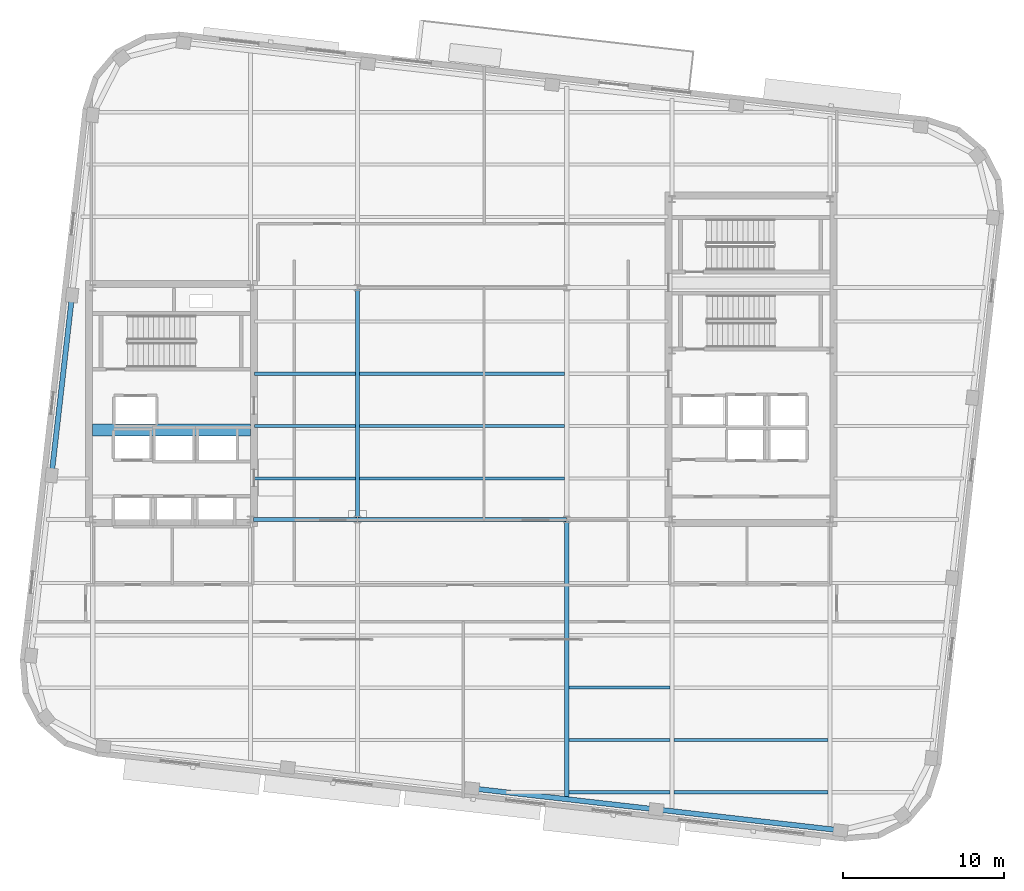
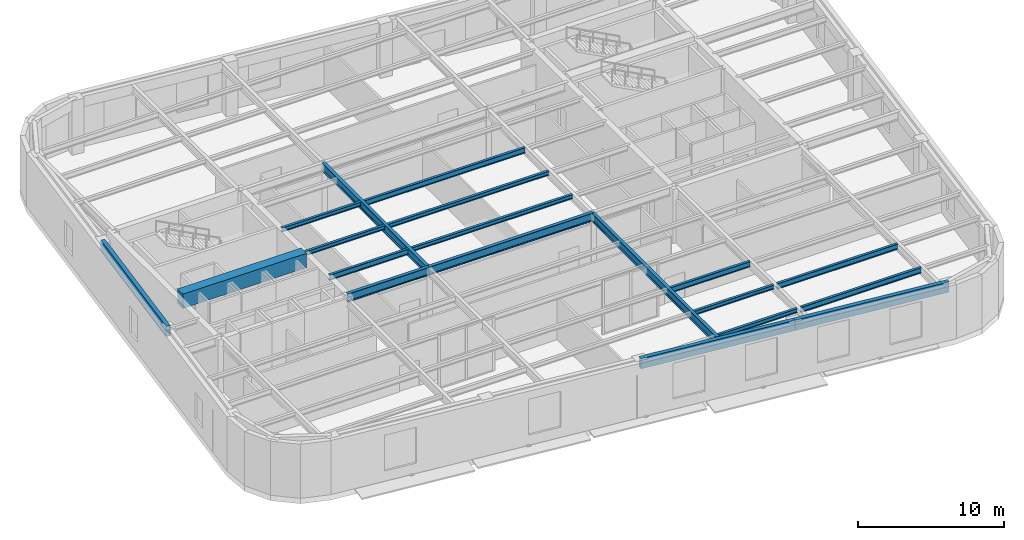
# One storey, part 4 of 15: 19 beams.
"""IFC4 building model written with IfcOpenShell, lengths in metres."""

from ifc_helpers import new_model, si_unit, direction, frame, origin, origin_2d, place, context, subcontext, project, spatial, rectangle, hollow_rectangle, i_section, extrude, material, material_profile, profile_set, type_object, element, save


model = new_model("IFC4")

# Units and contexts
model_context = context("Model", 3, precision=1e-05, world=origin(), true_north=direction((0.0, 1.0)))
body_context = subcontext(model_context, "Body", "Model", "MODEL_VIEW")
ifc_project = project(units=[si_unit("LENGTHUNIT", "METRE"), si_unit("AREAUNIT", "SQUARE_METRE"), si_unit("VOLUMEUNIT", "CUBIC_METRE"), si_unit("PLANEANGLEUNIT", "RADIAN"), si_unit("MASSUNIT", "GRAM", prefix="KILO")], contexts=[model_context])

# Site, building, storey
site_placement = place(None, origin())
site = spatial("IfcSite", under=ifc_project, at=site_placement, CompositionType="ELEMENT")
building_placement = place(site_placement, origin())
building = spatial("IfcBuilding", under=site, at=building_placement, Name="Kolvaren Arena Tower", CompositionType="ELEMENT")
storey_placement = place(building_placement, frame((0.0, 0.0, 216.14990234375)))
storey = spatial("IfcBuildingStorey", under=building, at=storey_placement, Name="L52", CompositionType="ELEMENT", Elevation=216.14990234375)

# Beams
ifc_material_1 = material(Name="Steel CSA G40.21 350W", Category="steel")
ifc_material_profile_1 = material_profile(ifc_material_1, i_section(OverallWidth=0.193115234375, OverallDepth=0.462890625, WebThickness=0.0107421875, FlangeThickness=0.0205078125, FilletRadius=0.012939453125, at=origin_2d()), Name="W460x113")
ifc_profile_set_1 = profile_set([ifc_material_profile_1], Name="Steel CSA G40.21 350W")
beam_type_1 = type_object("IfcBeamType", Name="BEAM-F2", PredefinedType="BEAM", material=ifc_profile_set_1)
for number, where, z_axis, x_axis, name in (
    (1, (50.677490234375, 2.5, 4.298583984375), (1.0, 0.0, 0.0), (0.0, 1.0, 0.0), "Composite Floor Beam (L52)"),
    (2, (50.677490234375, 5.75, 4.298583984375), (1.0, 0.0, 0.0), (0.0, 1.0, 0.0), "Composite Floor Beam (L52)"),
):
    element("IfcBeam", number, at=place(storey_placement, frame(where, z_axis=z_axis, x_axis=x_axis)), inside=storey, type_object=beam_type_1, Name=name, PredefinedType="BEAM", context=body_context, shape_type="SweptSolid", body=[
        extrude(i_section(OverallWidth=0.193115234375, OverallDepth=0.462890625, WebThickness=0.0107421875, FlangeThickness=0.0205078125, FilletRadius=0.012939453125, at=origin_2d()), origin(), (0.0, 0.0, 1.0), 9.544921875),
    ])
beam_1_placement = place(storey_placement, frame((44.12744140625, 9.0, 4.298583984375), z_axis=(1.0, 0.0, 0.0), x_axis=(0.0, 1.0, 0.0)))
element("IfcBeam", 3, at=beam_1_placement, inside=storey, type_object=beam_type_1, Name="Composite Floor Beam (L52)", PredefinedType="BEAM", context=body_context, shape_type="SweptSolid", body=[
    extrude(i_section(OverallWidth=0.193115234375, OverallDepth=0.462890625, WebThickness=0.0107421875, FlangeThickness=0.0205078125, FilletRadius=0.012939453125, at=origin_2d()), origin(), (0.0, 0.0, 1.0), 6.295166015625),
])
beam_2_placement = place(storey_placement, frame((24.594970703125, 22.0, 4.298583984375), z_axis=(1.0, 0.0, 0.0), x_axis=(0.0, 1.0, 0.0)))
element("IfcBeam", 4, at=beam_2_placement, inside=storey, type_object=beam_type_1, Name="Composite Floor Beam (L52)", PredefinedType="BEAM", context=body_context, shape_type="SweptSolid", body=[
    extrude(i_section(OverallWidth=0.193115234375, OverallDepth=0.462890625, WebThickness=0.0107421875, FlangeThickness=0.0205078125, FilletRadius=0.012939453125, at=origin_2d()), origin(), (0.0, 0.0, 1.0), 6.277587890625),
])
beam_3_placement = place(storey_placement, frame((31.12744140625, 28.5, 4.298583984375), z_axis=(1.0, 0.0, 0.0), x_axis=(0.0, 1.0, 0.0)))
element("IfcBeam", 5, at=beam_3_placement, inside=storey, type_object=beam_type_1, Name="Composite Floor Beam (L52)", PredefinedType="BEAM", context=body_context, shape_type="SweptSolid", body=[
    extrude(i_section(OverallWidth=0.193115234375, OverallDepth=0.462890625, WebThickness=0.0107421875, FlangeThickness=0.0205078125, FilletRadius=0.012939453125, at=origin_2d()), origin(), (0.0, 0.0, 1.0), 12.7451171875),
])
ifc_material_2 = material(Name="Concrete 60 MPa", Category="concrete")
ifc_material_profile_2 = material_profile(ifc_material_2, rectangle(XDim=0.75, YDim=1.199951171875, at=origin_2d()), Name="RC-750x1200")
ifc_profile_set_2 = profile_set([ifc_material_profile_2], Name="Concrete 60 MPa")
beam_type_2 = type_object("IfcBeamType", Name="CB-CORE-2", PredefinedType="BEAM", material=ifc_profile_set_2)
beam_4_placement = place(storey_placement, frame((14.550048828125, 25.0, 4.2001953125), z_axis=(1.0, 0.0, 0.0), x_axis=(0.0, 1.0, 0.0)))
element("IfcBeam", 6, at=beam_4_placement, inside=storey, type_object=beam_type_2, Name="West Core Coupling Beam (L52)", PredefinedType="BEAM", context=body_context, shape_type="SweptSolid", body=[
    extrude(rectangle(XDim=0.75, YDim=1.199951171875, at=origin_2d()), origin(), (0.0, 0.0, 1.0), 9.800048828125),
])
ifc_material_profile_3 = material_profile(ifc_material_1, i_section(OverallWidth=0.2548828125, OverallDepth=0.695068359375, WebThickness=0.01708984375, FlangeThickness=0.02978515625, FilletRadius=0.01611328125, at=origin_2d()), Name="W690x217")
ifc_profile_set_3 = profile_set([ifc_material_profile_3], Name="Steel CSA G40.21 350W")
beam_type_3 = type_object("IfcBeamType", Name="GIRD-T2", PredefinedType="BEAM", material=ifc_profile_set_3)
beam_5_placement = place(storey_placement, frame((24.554931640625, 19.449951171875, 4.1826171875), z_axis=(1.0, 0.0, 0.0), x_axis=(0.0, 1.0, 0.0)))
element("IfcBeam", 7, at=beam_5_placement, inside=storey, type_object=beam_type_3, Name="Primary Floor Girder (L52)", PredefinedType="BEAM", context=body_context, shape_type="SweptSolid", body=[
    extrude(i_section(OverallWidth=0.2548828125, OverallDepth=0.695068359375, WebThickness=0.01708984375, FlangeThickness=0.02978515625, FilletRadius=0.01611328125, at=origin_2d()), origin(), (0.0, 0.0, 1.0), 6.445068359375),
])
beam_6_placement = place(storey_placement, frame((31.0, 19.449951171875, 4.1826171875), z_axis=(1.0, 0.0, 0.0), x_axis=(0.0, 1.0, 0.0)))
element("IfcBeam", 8, at=beam_6_placement, inside=storey, type_object=beam_type_3, Name="Primary Floor Girder (L52)", PredefinedType="BEAM", context=body_context, shape_type="SweptSolid", body=[
    extrude(i_section(OverallWidth=0.2548828125, OverallDepth=0.695068359375, WebThickness=0.01708984375, FlangeThickness=0.02978515625, FilletRadius=0.01611328125, at=origin_2d()), origin(), (0.0, 0.0, 1.0), 13.0),
])
beam_7_placement = place(storey_placement, frame((31.0, 19.449951171875, 4.1826171875), z_axis=(0.0, 1.0, 0.0), x_axis=(-1.0, 0.0, 0.0)))
element("IfcBeam", 9, at=beam_7_placement, inside=storey, type_object=beam_type_3, Name="Primary Floor Girder (L52)", PredefinedType="BEAM", context=body_context, shape_type="SweptSolid", body=[
    extrude(i_section(OverallWidth=0.2548828125, OverallDepth=0.695068359375, WebThickness=0.01708984375, FlangeThickness=0.02978515625, FilletRadius=0.01611328125, at=origin_2d()), origin(), (0.0, 0.0, 1.0), 14.400146484375),
])
beam_8_placement = place(storey_placement, frame((44.0, 2.0703125, 4.1826171875), z_axis=(0.0, 1.0, 0.0), x_axis=(-1.0, 0.0, 0.0)))
element("IfcBeam", 10, at=beam_8_placement, inside=storey, type_object=beam_type_3, Name="Primary Floor Girder (L52)", PredefinedType="BEAM", context=body_context, shape_type="SweptSolid", body=[
    extrude(i_section(OverallWidth=0.2548828125, OverallDepth=0.695068359375, WebThickness=0.01708984375, FlangeThickness=0.02978515625, FilletRadius=0.01611328125, at=origin_2d()), origin(), (0.0, 0.0, 1.0), 17.379638671875),
])
ifc_material_profile_4 = material_profile(ifc_material_1, i_section(OverallWidth=0.202880859375, OverallDepth=0.346923828125, WebThickness=0.0078125, FlangeThickness=0.013427734375, FilletRadius=0.010986328125, at=origin_2d()), Name="W360x64")
ifc_profile_set_4 = profile_set([ifc_material_profile_4], Name="Steel CSA G40.21 350W")
beam_type_4 = type_object("IfcBeamType", Name="JOIST-01", PredefinedType="JOIST", material=ifc_profile_set_4)
for number, where, z_axis, x_axis, name in (
    (11, (44.12744140625, 2.5, 4.356689453125), (1.0, 0.0, 0.0), (0.0, 1.0, 0.0), "Composite Floor Joist (L52)"),
    (12, (44.12744140625, 5.75, 4.356689453125), (1.0, 0.0, 0.0), (0.0, 1.0, 0.0), "Composite Floor Joist (L52)"),
):
    element("IfcBeam", number, at=place(storey_placement, frame(where, z_axis=z_axis, x_axis=x_axis)), inside=storey, type_object=beam_type_4, Name=name, PredefinedType="JOIST", context=body_context, shape_type="SweptSolid", body=[
        extrude(i_section(OverallWidth=0.202880859375, OverallDepth=0.346923828125, WebThickness=0.0078125, FlangeThickness=0.013427734375, FilletRadius=0.010986328125, at=origin_2d()), origin(), (0.0, 0.0, 1.0), 6.295166015625),
    ])
beam_9_placement = place(storey_placement, frame((31.12744140625, 22.0, 4.356689453125), z_axis=(1.0, 0.0, 0.0), x_axis=(0.0, 1.0, 0.0)))
element("IfcBeam", 13, at=beam_9_placement, inside=storey, type_object=beam_type_4, Name="Composite Floor Joist (L52)", PredefinedType="JOIST", context=body_context, shape_type="SweptSolid", body=[
    extrude(i_section(OverallWidth=0.202880859375, OverallDepth=0.346923828125, WebThickness=0.0078125, FlangeThickness=0.013427734375, FilletRadius=0.010986328125, at=origin_2d()), origin(), (0.0, 0.0, 1.0), 12.7451171875),
])
beam_10_placement = place(storey_placement, frame((24.594970703125, 25.25, 4.356689453125), z_axis=(1.0, 0.0, 0.0), x_axis=(0.0, 1.0, 0.0)))
element("IfcBeam", 14, at=beam_10_placement, inside=storey, type_object=beam_type_4, Name="Composite Floor Joist (L52)", PredefinedType="JOIST", context=body_context, shape_type="SweptSolid", body=[
    extrude(i_section(OverallWidth=0.202880859375, OverallDepth=0.346923828125, WebThickness=0.0078125, FlangeThickness=0.013427734375, FilletRadius=0.010986328125, at=origin_2d()), origin(), (0.0, 0.0, 1.0), 6.277587890625),
])
beam_11_placement = place(storey_placement, frame((31.12744140625, 25.25, 4.356689453125), z_axis=(1.0, 0.0, 0.0), x_axis=(0.0, 1.0, 0.0)))
element("IfcBeam", 15, at=beam_11_placement, inside=storey, type_object=beam_type_4, Name="Composite Floor Joist (L52)", PredefinedType="JOIST", context=body_context, shape_type="SweptSolid", body=[
    extrude(i_section(OverallWidth=0.202880859375, OverallDepth=0.346923828125, WebThickness=0.0078125, FlangeThickness=0.013427734375, FilletRadius=0.010986328125, at=origin_2d()), origin(), (0.0, 0.0, 1.0), 12.7451171875),
])
beam_12_placement = place(storey_placement, frame((24.594970703125, 28.5, 4.356689453125), z_axis=(1.0, 0.0, 0.0), x_axis=(0.0, 1.0, 0.0)))
element("IfcBeam", 16, at=beam_12_placement, inside=storey, type_object=beam_type_4, Name="Composite Floor Joist (L52)", PredefinedType="JOIST", context=body_context, shape_type="SweptSolid", body=[
    extrude(i_section(OverallWidth=0.202880859375, OverallDepth=0.346923828125, WebThickness=0.0078125, FlangeThickness=0.013427734375, FilletRadius=0.010986328125, at=origin_2d()), origin(), (0.0, 0.0, 1.0), 6.277587890625),
])
ifc_material_3 = material(Name="Steel CSA G40.21 350WT", Category="steel")
ifc_material_profile_5 = material_profile(ifc_material_3, hollow_rectangle(XDim=0.320068359375, YDim=0.860107421875, WallThickness=0.01806640625, at=origin_2d()), Name="HSS 860x320x18")
ifc_profile_set_5 = profile_set([ifc_material_profile_5], Name="Steel CSA G40.21 350WT")
beam_type_5 = type_object("IfcBeamType", Name="SPAND-02", PredefinedType="SPANDREL", material=ifc_profile_set_5)
beam_13_placement = place(storey_placement, frame((38.109619140625, 2.741455078125, 4.10009765625), z_axis=(0.993571397957, -0.113207231049, 0.0), x_axis=(0.113207231049, 0.993571397957, 0.0)))
element("IfcBeam", 17, at=beam_13_placement, inside=storey, type_object=beam_type_5, Name="Perimeter Spandrel Beam (L52)", PredefinedType="SPANDREL", context=body_context, shape_type="SweptSolid", body=[
    extrude(hollow_rectangle(XDim=0.320068359375, YDim=0.860107421875, WallThickness=0.01806640625, at=origin_2d()), origin(), (0.0, 0.0, 1.0), 11.524658203125),
])
beam_14_placement = place(storey_placement, frame((49.560302734375, 1.436767578125, 4.10009765625), z_axis=(0.993571940905, -0.113202465721, 0.0), x_axis=(0.113202465721, 0.993571940905, 0.0)))
element("IfcBeam", 18, at=beam_14_placement, inside=storey, type_object=beam_type_5, Name="Perimeter Spandrel Beam (L52)", PredefinedType="SPANDREL", context=body_context, shape_type="SweptSolid", body=[
    extrude(hollow_rectangle(XDim=0.320068359375, YDim=0.860107421875, WallThickness=0.01806640625, at=origin_2d()), origin(), (0.0, 0.0, 1.0), 11.525146484375),
])
beam_15_placement = place(storey_placement, frame((13.268798828125, 33.3837890625, 4.10009765625), z_axis=(-0.113220850685, -0.993569846045, 0.0), x_axis=(0.993569846045, -0.113220850685, 0.0)))
element("IfcBeam", 19, at=beam_15_placement, inside=storey, type_object=beam_type_5, Name="Perimeter Spandrel Beam (L52)", PredefinedType="SPANDREL", context=body_context, shape_type="SweptSolid", body=[
    extrude(hollow_rectangle(XDim=0.320068359375, YDim=0.860107421875, WallThickness=0.01806640625, at=origin_2d()), origin(), (0.0, 0.0, 1.0), 11.266845703125),
])

save(model, "model.ifc")
